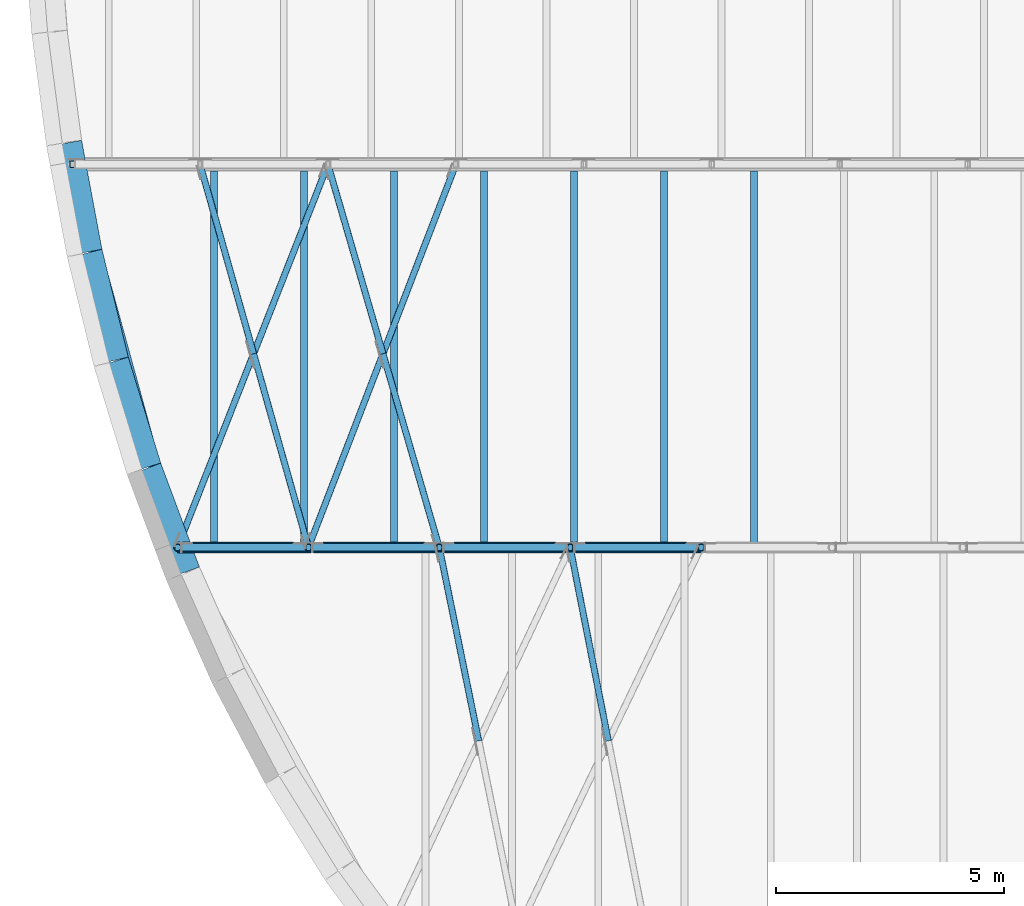
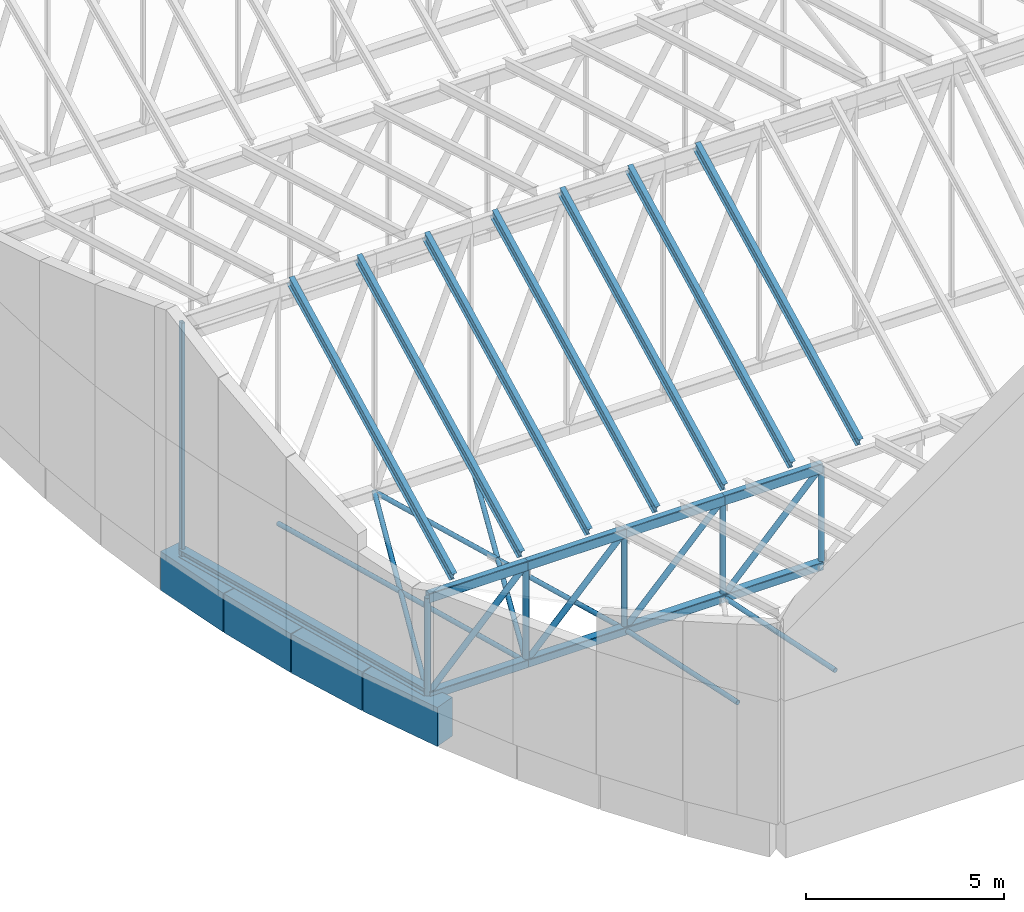
# One storey, part 16 of 68: 25 members, 13 beams.
"""IFC4 building model written with IfcOpenShell, lengths in metres."""

from ifc_helpers import new_model, si_unit, direction, frame, origin, origin_2d, place, context, subcontext, project, spatial, rectangle, hollow_rectangle, hollow_circle, i_section, extrude, material, material_profile, profile_set, type_object, element, save


model = new_model("IFC4")

# Units and contexts
model_context = context("Model", 3, precision=1e-05, world=origin(), true_north=direction((0.0, 1.0)))
body_context = subcontext(model_context, "Body", "Model", "MODEL_VIEW")
ifc_project = project(units=[si_unit("LENGTHUNIT", "METRE"), si_unit("AREAUNIT", "SQUARE_METRE"), si_unit("VOLUMEUNIT", "CUBIC_METRE"), si_unit("PLANEANGLEUNIT", "RADIAN"), si_unit("MASSUNIT", "GRAM", prefix="KILO")], contexts=[model_context])

# Site, building, storey
site_placement = place(None, origin())
site = spatial("IfcSite", under=ifc_project, at=site_placement, CompositionType="ELEMENT")
building_placement = place(site_placement, origin())
building = spatial("IfcBuilding", under=site, at=building_placement, Name="Larchfold Concert Hall", CompositionType="ELEMENT")
storey_placement = place(building_placement, frame((0.0, 0.0, 28.800048828125)))
storey = spatial("IfcBuildingStorey", under=building, at=storey_placement, Name="L06", CompositionType="ELEMENT", Elevation=28.800048828125)

# Beams
ifc_material_1 = material(Name="Concrete C40/50", Category="concrete")
ifc_material_profile_1 = material_profile(ifc_material_1, rectangle(XDim=0.60009765625, YDim=1.199951171875, at=origin_2d()))
ifc_profile_set_1 = profile_set([ifc_material_profile_1], Name="Concrete C40/50")
beam_type_1 = type_object("IfcBeamType", Name="Beam RC 600x1200", PredefinedType="BEAM", material=ifc_profile_set_1)
beam_1_placement = place(storey_placement, frame((18.67578125, 77.2744140625, -0.60009765625), z_axis=(0.183537193691, -0.98301276621, 0.0), x_axis=(0.98301276621, 0.183537193691, 0.0)))
element("IfcBeam", 1, at=beam_1_placement, inside=storey, type_object=beam_type_1, Name="Beam RB42", PredefinedType="BEAM", context=body_context, shape_type="SweptSolid", body=[
    extrude(rectangle(XDim=0.60009765625, YDim=1.199951171875, at=origin_2d()), origin(), (0.0, 0.0, 1.0), 2.432861328125),
])
beam_2_placement = place(storey_placement, frame((19.125732421875, 74.86669921875, -0.60009765625), z_axis=(0.237501503211, -0.971387170994, 0.0), x_axis=(0.971387170994, 0.237501503211, 0.0)))
element("IfcBeam", 2, at=beam_2_placement, inside=storey, type_object=beam_type_1, Name="Beam RB43", PredefinedType="BEAM", context=body_context, shape_type="SweptSolid", body=[
    extrude(rectangle(XDim=0.60009765625, YDim=1.199951171875, at=origin_2d()), origin(), (0.0, 0.0, 1.0), 2.43212890625),
])
beam_3_placement = place(storey_placement, frame((19.707763671875, 72.487548828125, -0.60009765625), z_axis=(0.292511903907, -0.956261881533, 0.0), x_axis=(0.956261881533, 0.292511903907, 0.0)))
element("IfcBeam", 3, at=beam_3_placement, inside=storey, type_object=beam_type_1, Name="Beam RB44", PredefinedType="BEAM", context=body_context, shape_type="SweptSolid", body=[
    extrude(rectangle(XDim=0.60009765625, YDim=1.199951171875, at=origin_2d()), origin(), (0.0, 0.0, 1.0), 2.431396484375),
])
beam_4_placement = place(storey_placement, frame((20.4248046875, 70.145751953125, -0.60009765625), z_axis=(0.348821933881, -0.937189019592, 0.0), x_axis=(0.937189019592, 0.348821933881, 0.0)))
element("IfcBeam", 4, at=beam_4_placement, inside=storey, type_object=beam_type_1, Name="Beam RB45", PredefinedType="BEAM", context=body_context, shape_type="SweptSolid", body=[
    extrude(rectangle(XDim=0.60009765625, YDim=1.199951171875, at=origin_2d()), origin(), (0.0, 0.0, 1.0), 2.4306640625),
])

# Members
ifc_material_2 = material(Name="Steel S355J2H", Category="steel")
ifc_material_profile_2 = material_profile(ifc_material_2, hollow_circle(Radius=0.06982421875, WallThickness=0.00634765625, at=origin_2d()))
ifc_profile_set_2 = profile_set([ifc_material_profile_2], Name="Steel S355J2H")
member_type_1 = type_object("IfcMemberType", Name="Bracing CHS 139.7x6.3", PredefinedType="BRACE", material=ifc_profile_set_2)
member_1_placement = place(storey_placement, frame((27.6796875, 64.158935546875, 0.0), z_axis=(-0.199846183901, 0.979827282117, 0.0), x_axis=(-0.979827282117, -0.199846183901, 0.0)))
element("IfcMember", 5, at=member_1_placement, inside=storey, type_object=member_type_1, Name="Member FB003", PredefinedType="BRACE", context=body_context, shape_type="SweptSolid", body=[
    extrude(hollow_circle(Radius=0.06982421875, WallThickness=0.00634765625, at=origin_2d()), origin(), (0.0, 0.0, 1.0), 4.328369140625),
])
member_2_placement = place(storey_placement, frame((30.521728515625, 64.158935546875, 0.0), z_axis=(-0.193606566883, 0.981079251263, 0.0), x_axis=(-0.981079251263, -0.193606566883, 0.0)))
element("IfcMember", 6, at=member_2_placement, inside=storey, type_object=member_type_1, Name="Member FB006", PredefinedType="BRACE", context=body_context, shape_type="SweptSolid", body=[
    extrude(hollow_circle(Radius=0.06982421875, WallThickness=0.00634765625, at=origin_2d()), origin(), (0.0, 0.0, 1.0), 4.32275390625),
])
member_3_placement = place(storey_placement, frame((21.074462890625, 68.39990234375, 0.0), z_axis=(0.36548747725, 0.930816256827, 0.0), x_axis=(-0.930816256827, 0.36548747725, 0.0)))
element("IfcMember", 7, at=member_3_placement, inside=storey, type_object=member_type_1, Name="Member FB013", PredefinedType="BRACE", context=body_context, shape_type="SweptSolid", body=[
    extrude(hollow_circle(Radius=0.06982421875, WallThickness=0.00634765625, at=origin_2d()), origin(), (0.0, 0.0, 1.0), 9.0244140625),
])
member_4_placement = place(storey_placement, frame((23.944580078125, 68.39990234375, 0.0), z_axis=(-0.272200763687, 0.962240481506, 0.0), x_axis=(-0.962240481506, -0.272200763687, 0.0)))
element("IfcMember", 8, at=member_4_placement, inside=storey, type_object=member_type_1, Name="Member FB014", PredefinedType="BRACE", context=body_context, shape_type="SweptSolid", body=[
    extrude(hollow_circle(Radius=0.06982421875, WallThickness=0.00634765625, at=origin_2d()), origin(), (0.0, 0.0, 1.0), 4.41552734375),
])
member_5_placement = place(storey_placement, frame((22.74267578125, 72.648681640625, 0.0), z_axis=(-0.272141555612, 0.962257228452, 0.0), x_axis=(-0.962257228452, -0.272141555612, 0.0)))
element("IfcMember", 9, at=member_5_placement, inside=storey, type_object=member_type_1, Name="Member FB015", PredefinedType="BRACE", context=body_context, shape_type="SweptSolid", body=[
    extrude(hollow_circle(Radius=0.06982421875, WallThickness=0.00634765625, at=origin_2d()), origin(), (0.0, 0.0, 1.0), 4.314208984375),
])
member_6_placement = place(storey_placement, frame((23.944580078125, 68.39990234375, 0.0), z_axis=(0.359133574422, 0.933286170327, 0.0), x_axis=(-0.933286170327, 0.359133574422, 0.0)))
element("IfcMember", 10, at=member_6_placement, inside=storey, type_object=member_type_1, Name="Member FB016", PredefinedType="BRACE", context=body_context, shape_type="SweptSolid", body=[
    extrude(hollow_circle(Radius=0.06982421875, WallThickness=0.00634765625, at=origin_2d()), origin(), (0.0, 0.0, 1.0), 9.000732421875),
])
member_7_placement = place(storey_placement, frame((26.814697265625, 68.39990234375, 0.0), z_axis=(-0.279141771352, 0.96024990054, 0.0), x_axis=(-0.96024990054, -0.279141771352, 0.0)))
element("IfcMember", 11, at=member_7_placement, inside=storey, type_object=member_type_1, Name="Member FB017", PredefinedType="BRACE", context=body_context, shape_type="SweptSolid", body=[
    extrude(hollow_circle(Radius=0.06982421875, WallThickness=0.00634765625, at=origin_2d()), origin(), (0.0, 0.0, 1.0), 4.424560546875),
])
member_8_placement = place(storey_placement, frame((25.57958984375, 72.648681640625, 0.0), z_axis=(-0.279141151985, 0.960250080588, 0.0), x_axis=(-0.960250080588, -0.279141151985, 0.0)))
element("IfcMember", 12, at=member_8_placement, inside=storey, type_object=member_type_1, Name="Member FB018", PredefinedType="BRACE", context=body_context, shape_type="SweptSolid", body=[
    extrude(hollow_circle(Radius=0.06982421875, WallThickness=0.00634765625, at=origin_2d()), origin(), (0.0, 0.0, 1.0), 4.3232421875),
])
ifc_material_3 = material(Name="Steel S355", Category="steel")
ifc_material_profile_3 = material_profile(ifc_material_3, i_section(OverallWidth=0.14990234375, OverallDepth=0.300048828125, WebThickness=0.007080078125, FlangeThickness=0.0107421875, FilletRadius=0.014892578125, at=origin_2d()))
ifc_profile_set_3 = profile_set([ifc_material_profile_3], Name="Steel S355")
member_type_2 = type_object("IfcMemberType", Name="Rafter IPE 300", PredefinedType="RAFTER", material=ifc_profile_set_3)
for number, where, z_axis, x_axis, name in (
    (13, (21.87451171875, 68.47998046875, 3.291748046875), (0.0, 0.892286189567, 0.451470215971), (-1.0, 0.0, 0.0), "Member RF0019"),
    (14, (23.848388671875, 68.47998046875, 3.291748046875), (0.0, 0.892286189567, 0.451470215971), (-1.0, 0.0, 0.0), "Member RF0020"),
    (15, (25.822265625, 68.47998046875, 3.291748046875), (0.0, 0.892286189567, 0.451470215971), (-1.0, 0.0, 0.0), "Member RF0021"),
    (16, (27.796142578125, 68.47998046875, 3.291748046875), (0.0, 0.892286189567, 0.451470215971), (-1.0, 0.0, 0.0), "Member RF0022"),
    (17, (29.77001953125, 68.47998046875, 3.291748046875), (0.0, 0.892286189567, 0.451470215971), (-1.0, 0.0, 0.0), "Member RF0023"),
    (18, (31.743896484375, 68.47998046875, 3.291748046875), (0.0, 0.892286189567, 0.451470215971), (-1.0, 0.0, 0.0), "Member RF0024"),
    (19, (33.7177734375, 68.47998046875, 3.291748046875), (0.0, 0.892286189567, 0.451470215971), (-1.0, 0.0, 0.0), "Member RF0025"),
):
    element("IfcMember", number, at=place(storey_placement, frame(where, z_axis=z_axis, x_axis=x_axis)), inside=storey, type_object=member_type_2, Name=name, PredefinedType="RAFTER", context=body_context, shape_type="SweptSolid", body=[
        extrude(i_section(OverallWidth=0.14990234375, OverallDepth=0.300048828125, WebThickness=0.007080078125, FlangeThickness=0.0107421875, FilletRadius=0.014892578125, at=origin_2d()), origin(), (0.0, 0.0, 1.0), 9.234619140625),
    ])

# Beams
ifc_material_4 = material(Name="Steel S355", Category="steel")
ifc_material_profile_4 = material_profile(ifc_material_4, i_section(OverallWidth=0.239990234375, OverallDepth=0.22998046875, WebThickness=0.007568359375, FlangeThickness=0.011962890625, FilletRadius=0.02099609375, at=origin_2d()))
ifc_profile_set_4 = profile_set([ifc_material_profile_4], Name="Steel S355")
beam_type_2 = type_object("IfcBeamType", Name="Steel beam HEA 240", PredefinedType="BEAM", material=ifc_profile_set_4)
beam_5_placement = place(storey_placement, frame((21.074462890625, 68.39990234375, 0.114990234375), z_axis=(-0.265158437013, 0.964204855454, 0.0), x_axis=(-0.964204855454, -0.265158437013, 0.0)))
element("IfcBeam", 20, at=beam_5_placement, inside=storey, type_object=beam_type_2, Name="Beam EM02", PredefinedType="BEAM", context=body_context, shape_type="SweptSolid", body=[
    extrude(i_section(OverallWidth=0.239990234375, OverallDepth=0.22998046875, WebThickness=0.007568359375, FlangeThickness=0.011962890625, FilletRadius=0.02099609375, at=origin_2d()), origin(), (0.0, 0.0, 1.0), 8.7119140625),
])
ifc_material_5 = material(Name="Steel S355J2H", Category="steel")
ifc_material_profile_5 = material_profile(ifc_material_5, hollow_rectangle(XDim=0.199951171875, YDim=0.300048828125, WallThickness=0.012451171875, InnerFilletRadius=0.018798828125, OuterFilletRadius=0.03125, at=origin_2d()))
ifc_profile_set_5 = profile_set([ifc_material_profile_5], Name="Steel S355J2H")
beam_type_3 = type_object("IfcBeamType", Name="Truss chord RHS 300x200x12.5", PredefinedType="BEAM", material=ifc_profile_set_5)
for number, where, z_axis, x_axis, name in (
    (21, (21.074462890625, 68.39990234375, 3.0), (1.0, 0.0, 0.0), (0.0, 1.0, 0.0), "Beam FT2T01"),
    (22, (23.944580078125, 68.39990234375, 3.0), (1.0, 0.0, 0.0), (0.0, 1.0, 0.0), "Beam FT2T02"),
    (23, (26.814697265625, 68.39990234375, 3.0), (1.0, 0.0, 0.0), (0.0, 1.0, 0.0), "Beam FT2T03"),
):
    element("IfcBeam", number, at=place(storey_placement, frame(where, z_axis=z_axis, x_axis=x_axis)), inside=storey, type_object=beam_type_3, Name=name, PredefinedType="BEAM", context=body_context, shape_type="SweptSolid", body=[
        extrude(hollow_rectangle(XDim=0.199951171875, YDim=0.300048828125, WallThickness=0.012451171875, InnerFilletRadius=0.018798828125, OuterFilletRadius=0.03125, at=origin_2d()), origin(), (0.0, 0.0, 1.0), 2.8701171875),
    ])
beam_6_placement = place(storey_placement, frame((29.684814453125, 68.39990234375, 3.0), z_axis=(1.0, 0.0, 0.0), x_axis=(0.0, 1.0, 0.0)))
element("IfcBeam", 24, at=beam_6_placement, inside=storey, type_object=beam_type_3, Name="Beam FT2T04", PredefinedType="BEAM", context=body_context, shape_type="SweptSolid", body=[
    extrude(hollow_rectangle(XDim=0.199951171875, YDim=0.300048828125, WallThickness=0.012451171875, InnerFilletRadius=0.018798828125, OuterFilletRadius=0.03125, at=origin_2d()), origin(), (0.0, 0.0, 1.0), 2.869873046875),
])

# Members
ifc_material_6 = material(Name="Steel S355J2H", Category="steel")
ifc_material_profile_6 = material_profile(ifc_material_6, hollow_circle(Radius=0.084228515625, WallThickness=0.008056640625, at=origin_2d()))
ifc_profile_set_6 = profile_set([ifc_material_profile_6], Name="Steel S355J2H")
member_type_3 = type_object("IfcMemberType", Name="Truss post CHS 168.3x8", PredefinedType="POST", material=ifc_profile_set_6)
for number, where, z_axis, x_axis, name in (
    (25, (21.074462890625, 68.39990234375, 3.0), (0.0, 0.0, -1.0), (1.0, 0.0, 0.0), "Member FT2V01"),
    (26, (23.944580078125, 68.39990234375, 3.0), (0.0, 0.0, -1.0), (1.0, 0.0, 0.0), "Member FT2V02"),
    (27, (26.814697265625, 68.39990234375, 3.0), (0.0, 0.0, -1.0), (1.0, 0.0, 0.0), "Member FT2V03"),
    (28, (29.684814453125, 68.39990234375, 3.0), (0.0, 0.0, -1.0), (1.0, 0.0, 0.0), "Member FT2V04"),
    (29, (32.5546875, 68.39990234375, 3.0), (0.0, 0.0, -1.0), (1.0, 0.0, 0.0), "Member FT2V05"),
):
    element("IfcMember", number, at=place(storey_placement, frame(where, z_axis=z_axis, x_axis=x_axis)), inside=storey, type_object=member_type_3, Name=name, PredefinedType="POST", context=body_context, shape_type="SweptSolid", body=[
        extrude(hollow_circle(Radius=0.084228515625, WallThickness=0.008056640625, at=origin_2d()), origin(), (0.0, 0.0, 1.0), 3.0),
    ])
ifc_material_7 = material(Name="Steel S355J2H", Category="steel")
ifc_material_profile_7 = material_profile(ifc_material_7, hollow_rectangle(XDim=0.10009765625, YDim=0.14990234375, WallThickness=0.008056640625, InnerFilletRadius=0.008056640625, OuterFilletRadius=0.01611328125, at=origin_2d()))
ifc_profile_set_7 = profile_set([ifc_material_profile_7], Name="Steel S355J2H")
member_type_4 = type_object("IfcMemberType", Name="Truss post RHS 150x100x8", PredefinedType="POST", material=ifc_profile_set_7)
member_9_placement = place(storey_placement, frame((18.764404296875, 76.800048828125, 7.199951171875), z_axis=(0.0, 0.0, -1.0), x_axis=(1.0, 0.0, 0.0)))
element("IfcMember", 30, at=member_9_placement, inside=storey, type_object=member_type_4, Name="Member FT3V01", PredefinedType="POST", context=body_context, shape_type="SweptSolid", body=[
    extrude(hollow_rectangle(XDim=0.10009765625, YDim=0.14990234375, WallThickness=0.008056640625, InnerFilletRadius=0.008056640625, OuterFilletRadius=0.01611328125, at=origin_2d()), origin(), (0.0, 0.0, 1.0), 7.199951171875),
])

# Beams
ifc_material_8 = material(Name="Steel S355J2H", Category="steel")
ifc_material_profile_8 = material_profile(ifc_material_8, hollow_rectangle(XDim=0.25, YDim=0.25, WallThickness=0.012451171875, InnerFilletRadius=0.018798828125, OuterFilletRadius=0.03125, at=origin_2d()))
ifc_profile_set_8 = profile_set([ifc_material_profile_8], Name="Steel S355J2H")
beam_type_4 = type_object("IfcBeamType", Name="Truss tie SHS 250x250x12.5", PredefinedType="BEAM", material=ifc_profile_set_8)
for number, where, z_axis, x_axis, name in (
    (31, (21.074462890625, 68.39990234375, 0.0), (1.0, 0.0, 0.0), (0.0, 1.0, 0.0), "Beam FT2B01"),
    (32, (23.944580078125, 68.39990234375, 0.0), (1.0, 0.0, 0.0), (0.0, 1.0, 0.0), "Beam FT2B02"),
    (33, (26.814697265625, 68.39990234375, 0.0), (1.0, 0.0, 0.0), (0.0, 1.0, 0.0), "Beam FT2B03"),
):
    element("IfcBeam", number, at=place(storey_placement, frame(where, z_axis=z_axis, x_axis=x_axis)), inside=storey, type_object=beam_type_4, Name=name, PredefinedType="BEAM", context=body_context, shape_type="SweptSolid", body=[
        extrude(hollow_rectangle(XDim=0.25, YDim=0.25, WallThickness=0.012451171875, InnerFilletRadius=0.018798828125, OuterFilletRadius=0.03125, at=origin_2d()), origin(), (0.0, 0.0, 1.0), 2.8701171875),
    ])
beam_7_placement = place(storey_placement, frame((29.684814453125, 68.39990234375, 0.0), z_axis=(1.0, 0.0, 0.0), x_axis=(0.0, 1.0, 0.0)))
element("IfcBeam", 34, at=beam_7_placement, inside=storey, type_object=beam_type_4, Name="Beam FT2B04", PredefinedType="BEAM", context=body_context, shape_type="SweptSolid", body=[
    extrude(hollow_rectangle(XDim=0.25, YDim=0.25, WallThickness=0.012451171875, InnerFilletRadius=0.018798828125, OuterFilletRadius=0.03125, at=origin_2d()), origin(), (0.0, 0.0, 1.0), 2.869873046875),
])

# Members
ifc_material_9 = material(Name="Steel S355J2H", Category="steel")
ifc_material_profile_9 = material_profile(ifc_material_9, hollow_circle(Radius=0.084228515625, WallThickness=0.008056640625, at=origin_2d()))
ifc_profile_set_9 = profile_set([ifc_material_profile_9], Name="Steel S355J2H")
member_type_5 = type_object("IfcMemberType", Name="Truss web CHS 168.3x8", PredefinedType="BRACE", material=ifc_profile_set_9)
for number, where, z_axis, x_axis, name in (
    (35, (21.074462890625, 68.39990234375, 0.0), (0.691292069031, 0.0, 0.722575446092), (0.0, 1.0, 0.0), "Member FT2D01"),
    (36, (23.944580078125, 68.39990234375, 0.0), (0.691292069031, 0.0, 0.722575446092), (0.0, 1.0, 0.0), "Member FT2D02"),
    (37, (26.814697265625, 68.39990234375, 0.0), (0.691292069031, 0.0, 0.722575446092), (0.0, 1.0, 0.0), "Member FT2D03"),
):
    element("IfcMember", number, at=place(storey_placement, frame(where, z_axis=z_axis, x_axis=x_axis)), inside=storey, type_object=member_type_5, Name=name, PredefinedType="BRACE", context=body_context, shape_type="SweptSolid", body=[
        extrude(hollow_circle(Radius=0.084228515625, WallThickness=0.008056640625, at=origin_2d()), origin(), (0.0, 0.0, 1.0), 4.15185546875),
    ])
member_10_placement = place(storey_placement, frame((29.684814453125, 68.39990234375, 0.0), z_axis=(0.691261365037, 0.0, 0.72260481953), x_axis=(0.0, 1.0, 0.0)))
element("IfcMember", 38, at=member_10_placement, inside=storey, type_object=member_type_5, Name="Member FT2D04", PredefinedType="BRACE", context=body_context, shape_type="SweptSolid", body=[
    extrude(hollow_circle(Radius=0.084228515625, WallThickness=0.008056640625, at=origin_2d()), origin(), (0.0, 0.0, 1.0), 4.151611328125),
])

save(model, "model.ifc")
